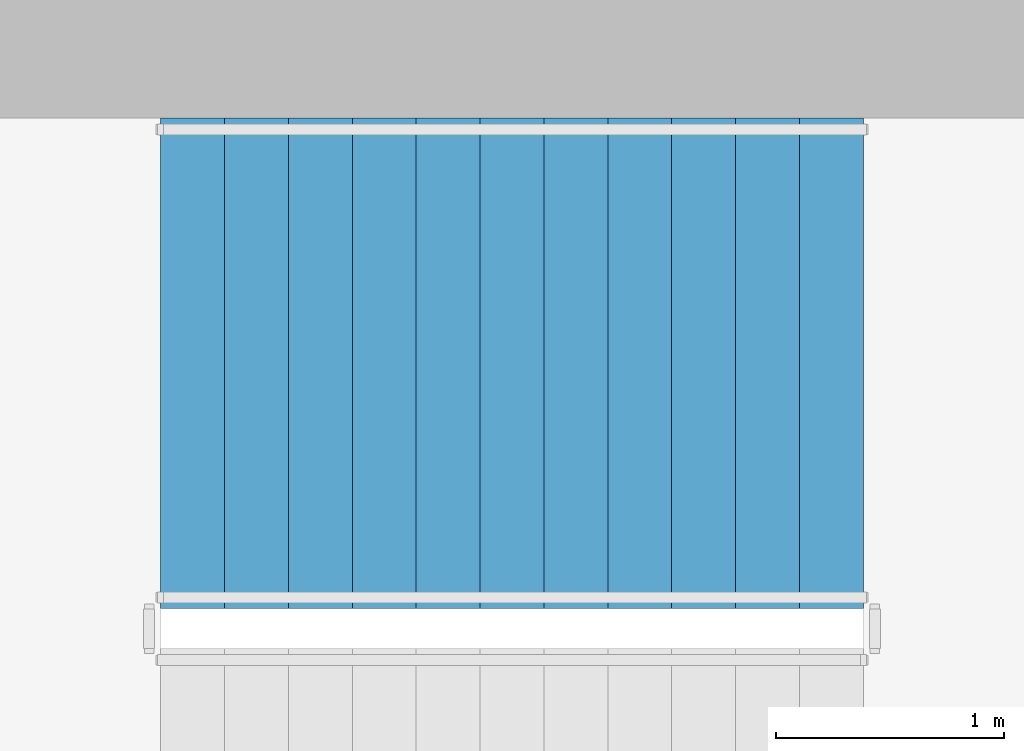
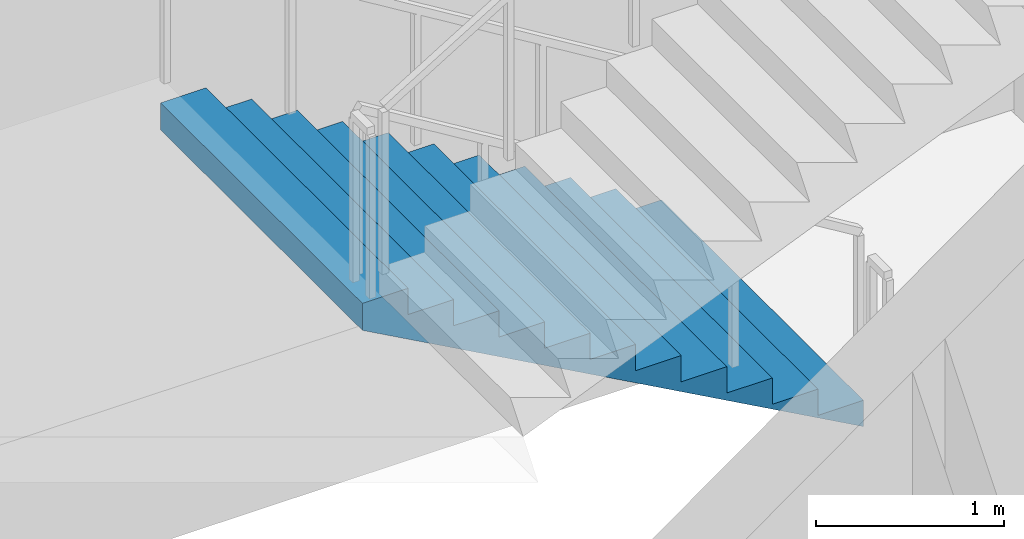
# One storey, part 10 of 16: 1 stair flight, 1 element without a shape of its own.
"""IFC4 building model written with IfcOpenShell, lengths in metres."""

from ifc_helpers import new_model, si_unit, direction, frame, origin, place, context, subcontext, project, spatial, triangles, material, type_object, element, aggregate, save


model = new_model("IFC4")

# Units and contexts
model_context = context("Model", 3, precision=1e-05, world=origin(), true_north=direction((0.0, 1.0)))
body_context = subcontext(model_context, "Body", "Model", "MODEL_VIEW")
ifc_project = project(units=[si_unit("LENGTHUNIT", "METRE"), si_unit("AREAUNIT", "SQUARE_METRE"), si_unit("VOLUMEUNIT", "CUBIC_METRE"), si_unit("PLANEANGLEUNIT", "RADIAN"), si_unit("MASSUNIT", "GRAM", prefix="KILO")], contexts=[model_context])

# Site, building, storey
site_placement = place(None, origin())
site = spatial("IfcSite", under=ifc_project, at=site_placement, CompositionType="ELEMENT")
building_placement = place(site_placement, origin())
building = spatial("IfcBuilding", under=site, at=building_placement, Name="Cypress Arch Tower", CompositionType="ELEMENT")
storey_placement = place(building_placement, frame((0.0, 0.0, 230.199951171875)))
storey = spatial("IfcBuildingStorey", under=building, at=storey_placement, Name="L51", CompositionType="ELEMENT", Elevation=230.199951171875)

# Stair, stair flight
ifc_material_1 = material(Name="Concrete C40/50", Category="concrete")
stair_type = type_object("IfcStairType", Name="Exit stair ES1708-215", PredefinedType="HALF_TURN_STAIR", material=ifc_material_1)
stair_placement = place(storey_placement, origin())
stair = element("IfcStair", 1, at=stair_placement, inside=storey, type_object=stair_type, Name="L51 Exit stair B", PredefinedType="HALF_TURN_STAIR")
ifc_material_2 = material(Name="Concrete C40/50", Category="concrete")
stair_flight_type = type_object("IfcStairFlightType", Name="Exit stair flight ES1708-215", PredefinedType="STRAIGHT", material=ifc_material_2)
stair_flight_placement = place(storey_placement, frame((-22.27490234375, 13.72509765625, 0.0), z_axis=(0.0, 0.0, 1.0), x_axis=(-1.0, 0.0, 0.0)))
stair_flight = element("IfcStairFlight", 2, at=stair_flight_placement, type_object=stair_flight_type, Name="B flight 1", NumberOfRisers=12, NumberOfTreads=11, PredefinedType="STRAIGHT", RiserHeight=0.170833333, TreadLength=0.28, context=body_context, shape_type="Tessellation", body=[
    triangles([(0.0, -1.074951171875, 0.0), (0.000244140625, -1.074951171875, 0.01904296875), (0.000244140625, -1.074951171875, 0.0380859375), (0.00048828125, -1.074951171875, 0.056884765625), (0.00048828125, -1.074951171875, 0.075927734375), (0.00048828125, -1.074951171875, 0.094970703125), (0.00048828125, -1.074951171875, 0.114013671875), (0.000244140625, -1.074951171875, 0.1328125), (0.000244140625, -1.074951171875, 0.15185546875), (0.0, -1.074951171875, 0.1708984375), (0.280029296875, -1.074951171875, 0.1708984375), (0.280029296875, -1.074951171875, 0.341552734375), (0.56005859375, -1.074951171875, 0.341552734375), (0.56005859375, -1.074951171875, 0.512451171875), (0.840087890625, -1.074951171875, 0.512451171875), (0.840087890625, -1.074951171875, 0.683349609375), (1.1201171875, -1.074951171875, 0.683349609375), (1.1201171875, -1.074951171875, 0.854248046875), (1.39990234375, -1.074951171875, 0.854248046875), (1.39990234375, -1.074951171875, 1.02490234375), (1.679931640625, -1.074951171875, 1.02490234375), (1.679931640625, -1.074951171875, 1.19580078125), (1.9599609375, -1.074951171875, 1.19580078125), (1.9599609375, -1.074951171875, 1.36669921875), (2.239990234375, -1.074951171875, 1.36669921875), (2.239990234375, -1.074951171875, 1.53759765625), (2.52001953125, -1.074951171875, 1.53759765625), (2.52001953125, -1.074951171875, 1.708251953125), (2.800048828125, -1.074951171875, 1.708251953125), (2.800048828125, -1.074951171875, 1.879150390625), (3.080078125, -1.074951171875, 1.879150390625), (3.079833984375, -1.074951171875, 1.859619140625), (3.079833984375, -1.074951171875, 1.840087890625), (3.07958984375, -1.074951171875, 1.820556640625), (3.07958984375, -1.074951171875, 1.801025390625), (3.07958984375, -1.074951171875, 1.78173828125), (3.07958984375, -1.074951171875, 1.76220703125), (3.079833984375, -1.074951171875, 1.74267578125), (3.079833984375, -1.074951171875, 1.72314453125), (3.080078125, -1.074951171875, 1.70361328125), (3.080078125, 1.074951171875, 1.70361328125), (3.079833984375, 1.074951171875, 1.72314453125), (3.079833984375, 1.074951171875, 1.74267578125), (3.07958984375, 1.074951171875, 1.76220703125), (3.07958984375, 1.074951171875, 1.78173828125), (3.07958984375, 1.074951171875, 1.801025390625), (3.07958984375, 1.074951171875, 1.820556640625), (3.079833984375, 1.074951171875, 1.840087890625), (3.079833984375, 1.074951171875, 1.859619140625), (3.080078125, 1.074951171875, 1.879150390625), (2.800048828125, 1.074951171875, 1.879150390625), (2.800048828125, 1.074951171875, 1.708251953125), (2.52001953125, 1.074951171875, 1.708251953125), (2.52001953125, 1.074951171875, 1.53759765625), (2.239990234375, 1.074951171875, 1.53759765625), (2.239990234375, 1.074951171875, 1.36669921875), (1.9599609375, 1.074951171875, 1.36669921875), (1.9599609375, 1.074951171875, 1.19580078125), (1.679931640625, 1.074951171875, 1.19580078125), (1.679931640625, 1.074951171875, 1.02490234375), (1.39990234375, 1.074951171875, 1.02490234375), (1.39990234375, 1.074951171875, 0.854248046875), (1.1201171875, 1.074951171875, 0.854248046875), (1.1201171875, 1.074951171875, 0.683349609375), (0.840087890625, 1.074951171875, 0.683349609375), (0.840087890625, 1.074951171875, 0.512451171875), (0.56005859375, 1.074951171875, 0.512451171875), (0.56005859375, 1.074951171875, 0.341552734375), (0.280029296875, 1.074951171875, 0.341552734375), (0.280029296875, 1.074951171875, 0.1708984375), (0.0, 1.074951171875, 0.1708984375), (0.000244140625, 1.074951171875, 0.15185546875), (0.000244140625, 1.074951171875, 0.1328125), (0.00048828125, 1.074951171875, 0.114013671875), (0.00048828125, 1.074951171875, 0.094970703125), (0.00048828125, 1.074951171875, 0.075927734375), (0.00048828125, 1.074951171875, 0.056884765625), (0.000244140625, 1.074951171875, 0.0380859375), (0.000244140625, 1.074951171875, 0.01904296875), (0.0, 1.074951171875, 0.0)], [[40, 39, 30], [39, 38, 30], [38, 37, 30], [37, 36, 30], [36, 35, 30], [35, 34, 30], [34, 33, 30], [33, 32, 30], [32, 31, 30], [19, 18, 17], [27, 26, 25], [25, 24, 23], [23, 22, 21], [17, 16, 15], [15, 14, 13], [10, 9, 11], [9, 8, 11], [8, 7, 11], [7, 6, 11], [6, 5, 11], [5, 4, 11], [4, 3, 11], [3, 2, 11], [2, 1, 11], [29, 28, 27], [21, 20, 19], [13, 12, 11], [40, 30, 29], [40, 29, 27], [40, 27, 25], [40, 25, 23], [40, 23, 21], [40, 21, 19], [40, 19, 17], [40, 17, 15], [40, 15, 13], [1, 40, 13], [13, 11, 1], [41, 51, 42], [42, 51, 43], [43, 51, 44], [44, 51, 45], [45, 51, 46], [46, 51, 47], [47, 51, 48], [48, 51, 49], [49, 51, 50], [62, 64, 63], [54, 56, 55], [56, 58, 57], [58, 60, 59], [64, 66, 65], [66, 68, 67], [71, 70, 72], [72, 70, 73], [73, 70, 74], [74, 70, 75], [75, 70, 76], [76, 70, 77], [77, 70, 78], [78, 70, 79], [79, 70, 80], [52, 54, 53], [60, 62, 61], [68, 70, 69], [41, 52, 51], [41, 54, 52], [41, 56, 54], [41, 58, 56], [41, 60, 58], [41, 62, 60], [41, 64, 62], [41, 66, 64], [41, 68, 66], [80, 68, 41], [68, 80, 70], [41, 42, 39], [41, 39, 40], [42, 43, 38], [42, 38, 39], [43, 44, 37], [43, 37, 38], [44, 45, 36], [44, 36, 37], [45, 46, 35], [45, 35, 36], [46, 47, 34], [46, 34, 35], [47, 48, 33], [47, 33, 34], [48, 49, 32], [48, 32, 33], [49, 50, 31], [49, 31, 32], [50, 51, 30], [50, 30, 31], [51, 52, 29], [51, 29, 30], [52, 53, 28], [52, 28, 29], [53, 54, 27], [53, 27, 28], [54, 55, 26], [54, 26, 27], [55, 56, 25], [55, 25, 26], [56, 57, 24], [56, 24, 25], [57, 58, 23], [57, 23, 24], [58, 59, 22], [58, 22, 23], [59, 60, 21], [59, 21, 22], [60, 61, 20], [60, 20, 21], [61, 62, 19], [61, 19, 20], [62, 63, 18], [62, 18, 19], [63, 64, 17], [63, 17, 18], [64, 65, 16], [64, 16, 17], [65, 66, 15], [65, 15, 16], [66, 67, 14], [66, 14, 15], [67, 68, 13], [67, 13, 14], [68, 69, 12], [68, 12, 13], [69, 70, 11], [69, 11, 12], [70, 71, 10], [70, 10, 11], [71, 72, 9], [71, 9, 10], [72, 73, 8], [72, 8, 9], [73, 74, 7], [73, 7, 8], [74, 75, 6], [74, 6, 7], [75, 76, 5], [75, 5, 6], [76, 77, 4], [76, 4, 5], [77, 78, 3], [77, 3, 4], [78, 79, 2], [78, 2, 3], [79, 80, 1], [79, 1, 2], [80, 41, 40], [80, 40, 1]], closed=True),
])
aggregate(stair, [stair_flight])

save(model, "model.ifc")
